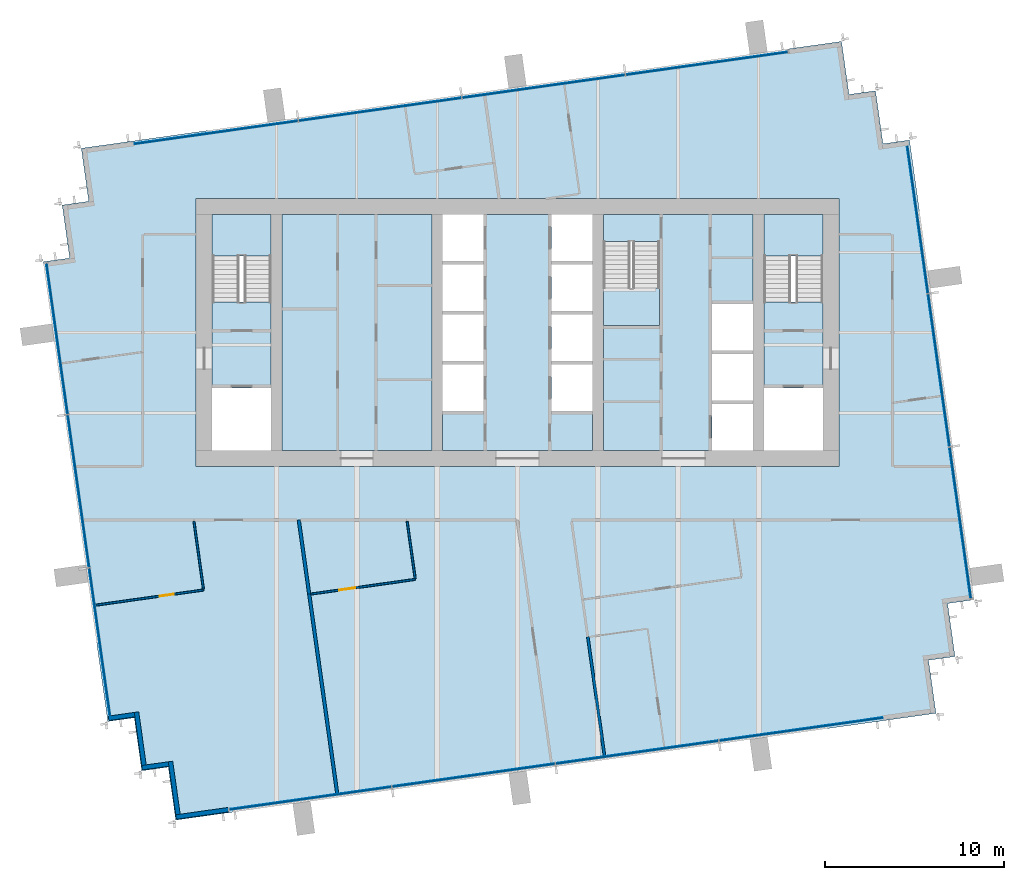
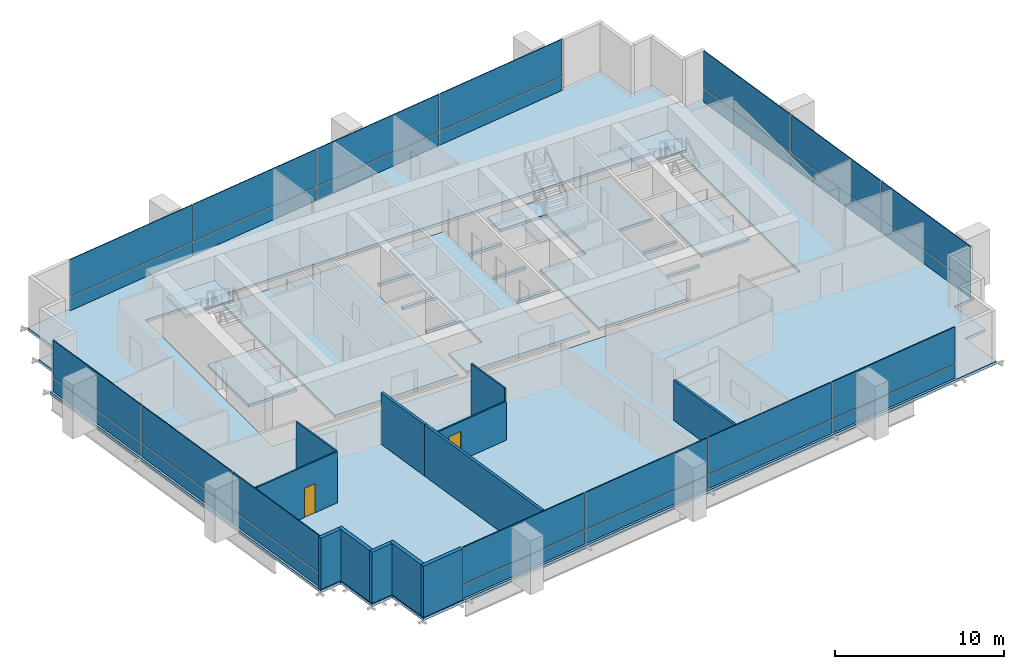
# One storey, part 7 of 12: 28 plates, 12 walls, 9 slabs, 2 doors, 2 openings, 7 elements without a shape of their own.
"""IFC4 building model written with IfcOpenShell, lengths in metres."""

from ifc_helpers import new_model, si_unit, direction, frame, frame_2d, origin, origin_2d, place, context, subcontext, project, spatial, polyline, rectangle, outline, extrude, material, layer, layer_set, type_object, element, fill, aggregate, save


model = new_model("IFC4")

# Units and contexts
model_context = context("Model", 3, precision=1e-05, world=origin(), true_north=direction((0.0, 1.0)))
body_context = subcontext(model_context, "Body", "Model", "MODEL_VIEW")
ifc_project = project(units=[si_unit("LENGTHUNIT", "METRE"), si_unit("AREAUNIT", "SQUARE_METRE"), si_unit("VOLUMEUNIT", "CUBIC_METRE"), si_unit("PLANEANGLEUNIT", "RADIAN"), si_unit("MASSUNIT", "GRAM", prefix="KILO")], contexts=[model_context])

# Site, building, storey
site_placement = place(None, origin())
site = spatial("IfcSite", under=ifc_project, at=site_placement, CompositionType="ELEMENT")
building_placement = place(site_placement, origin())
building = spatial("IfcBuilding", under=site, at=building_placement, Name="Rattan Terrace Tower", CompositionType="ELEMENT")
storey_placement = place(building_placement, frame((0.0, 0.0, 282.39990234375)))
storey = spatial("IfcBuildingStorey", under=building, at=storey_placement, Name="L65", CompositionType="ELEMENT", Elevation=282.39990234375)

# Stair, slab
ifc_material_1 = material(Name="Concrete C40/50", Category="concrete")
stair_type = type_object("IfcStairType", Name="Core exit stair 1500", PredefinedType="HALF_TURN_STAIR", material=ifc_material_1)
stair_1_placement = place(storey_placement, origin())
stair_1 = element("IfcStair", 1, at=stair_1_placement, inside=storey, type_object=stair_type, Name="L65 exit stair 1", PredefinedType="HALF_TURN_STAIR")
ifc_material_2 = material(Name="Concrete C40/50", Category="concrete")
ifc_layer_1 = layer(ifc_material_2, 0.199951171875)
ifc_layer_set_1 = layer_set([ifc_layer_1], Name="Core exit stair landing")
slab_type_1 = type_object("IfcSlabType", Name="Core exit stair landing", PredefinedType="LANDING", material=ifc_layer_set_1)
slab_1_placement = place(storey_placement, frame((0.0, 0.0, 1.75)))
slab_1 = element("IfcSlab", 2, at=slab_1_placement, type_object=slab_type_1, Name="S1 landing 1", PredefinedType="LANDING", context=body_context, shape_type="SweptSolid", body=[
    extrude(outline(polyline([(-13.800048828125, 4.300048828125), (-13.800048828125, 6.60009765625), (-17.10009765625, 6.60009765625), (-17.10009765625, 4.300048828125), (-13.800048828125, 4.300048828125)])), origin(), (0.0, 0.0, 1.0), 0.2001953125),
])
aggregate(stair_1, [slab_1])

stair_2_placement = place(storey_placement, origin())
stair_2 = element("IfcStair", 3, at=stair_2_placement, inside=storey, type_object=stair_type, Name="L65 exit stair 2", PredefinedType="HALF_TURN_STAIR")
slab_2_placement = place(storey_placement, frame((0.0, 0.0, 1.75)))
slab_2 = element("IfcSlab", 4, at=slab_2_placement, type_object=slab_type_1, Name="S2 landing 1", PredefinedType="LANDING", context=body_context, shape_type="SweptSolid", body=[
    extrude(outline(polyline([(17.10009765625, 4.300048828125), (17.10009765625, 6.60009765625), (13.800048828125, 6.60009765625), (13.800048828125, 4.300048828125), (17.10009765625, 4.300048828125)])), origin(), (0.0, 0.0, 1.0), 0.2001953125),
])
aggregate(stair_2, [slab_2])

stair_3_placement = place(storey_placement, origin())
stair_3 = element("IfcStair", 5, at=stair_3_placement, inside=storey, type_object=stair_type, Name="L65 exit stair 3", PredefinedType="HALF_TURN_STAIR")
slab_3_placement = place(storey_placement, frame((0.0, 0.0, 1.75)))
slab_3 = element("IfcSlab", 6, at=slab_3_placement, type_object=slab_type_1, Name="S3 landing 1", PredefinedType="LANDING", context=body_context, shape_type="SweptSolid", body=[
    extrude(outline(polyline([(4.800048828125, 2.5), (4.800048828125, 0.39990234375), (7.949951171875, 0.39990234375), (7.949951171875, 2.5), (4.800048828125, 2.5)])), origin(), (0.0, 0.0, 1.0), 0.2001953125),
])
aggregate(stair_3, [slab_3])

# Slabs
ifc_material_3 = material(Name="Concrete C35/45", Category="concrete")
ifc_layer_2 = layer(ifc_material_3, 0.199951171875)
ifc_layer_set_2 = layer_set([ifc_layer_2], Name="Frame composite floor slab 200")
slab_type_2 = type_object("IfcSlabType", Name="Frame composite floor slab 200", PredefinedType="FLOOR", material=ifc_layer_set_2)
slab_4_placement = place(storey_placement, frame((0.0, 0.0, -0.199951171875)))
element("IfcSlab", 7, at=slab_4_placement, inside=storey, type_object=slab_type_2, Name="Floor slab", PredefinedType="FLOOR", context=body_context, shape_type="SweptSolid", body=[
    extrude(outline(polyline([(-16.176025390625, -26.889892578125), (20.464111328125, -21.739990234375), (23.43505859375, -21.322998046875), (23.01806640625, -18.35205078125), (24.5029296875, -18.14306640625), (24.0849609375, -15.173095703125), (25.571044921875, -14.964111328125), (21.951904296875, 10.782958984375), (20.467041015625, 10.573974609375), (20.049072265625, 13.544921875), (18.56396484375, 13.3369140625), (18.14599609375, 16.306884765625), (15.176025390625, 15.889892578125), (-21.464111328125, 10.739990234375), (-24.43505859375, 10.322998046875), (-24.01806640625, 7.35205078125), (-25.5029296875, 7.14306640625), (-25.0849609375, 4.173095703125), (-26.571044921875, 3.964111328125), (-22.951904296875, -21.782958984375), (-21.467041015625, -21.573974609375), (-21.049072265625, -24.544921875), (-19.56396484375, -24.3369140625), (-19.14599609375, -27.306884765625), (-16.176025390625, -26.889892578125)]), holes=[polyline([(-18.0, -7.5), (18.0, -7.5), (18.0, -6.60009765625), (18.0, 6.60009765625), (18.0, 7.5), (-18.0, 7.5), (-18.0, 6.60009765625), (-18.0, -6.60009765625), (-18.0, -7.5)])]), origin(), (0.0, 0.0, 1.0), 0.199951171875),
])
slab_5_placement = place(storey_placement, frame((0.0, 0.0, -0.199951171875)))
element("IfcSlab", 8, at=slab_5_placement, inside=storey, type_object=slab_type_2, Name="Floor slab", PredefinedType="FLOOR", context=body_context, shape_type="SweptSolid", body=[
    extrude(outline(polyline([(13.199951171875, 6.60009765625), (4.800048828125, 6.60009765625), (4.800048828125, 5.090087890625), (7.949951171875, 5.090087890625), (7.949951171875, 0.39990234375), (4.800048828125, 0.39990234375), (4.800048828125, -6.60009765625), (10.89990234375, -6.60009765625), (10.89990234375, -4.0), (13.199951171875, -4.0), (13.199951171875, -3.800048828125), (10.89990234375, -3.800048828125), (10.89990234375, -1.199951171875), (13.199951171875, -1.199951171875), (13.199951171875, -1.0), (10.89990234375, -1.0), (10.89990234375, 1.60009765625), (13.199951171875, 1.60009765625), (13.199951171875, 6.60009765625)])), origin(), (0.0, 0.0, 1.0), 0.199951171875),
])
slab_6_placement = place(storey_placement, frame((0.0, 0.0, -0.199951171875)))
element("IfcSlab", 9, at=slab_6_placement, inside=storey, type_object=slab_type_2, Name="Floor slab", PredefinedType="FLOOR", context=body_context, shape_type="SweptSolid", body=[
    extrude(outline(polyline([(1.89990234375, 6.60009765625), (-1.89990234375, 6.60009765625), (-1.89990234375, 4.0), (-4.199951171875, 4.0), (-4.199951171875, 3.800048828125), (-1.89990234375, 3.800048828125), (-1.89990234375, 1.199951171875), (-4.199951171875, 1.199951171875), (-4.199951171875, 1.0), (-1.89990234375, 1.0), (-1.89990234375, -1.60009765625), (-4.199951171875, -1.60009765625), (-4.199951171875, -1.800048828125), (-1.89990234375, -1.800048828125), (-1.89990234375, -4.39990234375), (-4.199951171875, -4.39990234375), (-4.199951171875, -6.60009765625), (4.199951171875, -6.60009765625), (4.199951171875, -4.39990234375), (1.89990234375, -4.39990234375), (1.89990234375, -1.800048828125), (4.199951171875, -1.800048828125), (4.199951171875, -1.60009765625), (1.89990234375, -1.60009765625), (1.89990234375, 1.0), (4.199951171875, 1.0), (4.199951171875, 1.199951171875), (1.89990234375, 1.199951171875), (1.89990234375, 3.800048828125), (4.199951171875, 3.800048828125), (4.199951171875, 4.0), (1.89990234375, 4.0), (1.89990234375, 6.60009765625)])), origin(), (0.0, 0.0, 1.0), 0.199951171875),
])
slab_7_placement = place(storey_placement, frame((0.0, 0.0, -0.199951171875)))
element("IfcSlab", 10, at=slab_7_placement, inside=storey, type_object=slab_type_2, Name="Floor slab", PredefinedType="FLOOR", context=body_context, shape_type="SweptSolid", body=[
    extrude(outline(polyline([(-17.10009765625, -3.10009765625), (-13.800048828125, -3.10009765625), (-13.800048828125, 1.7099609375), (-17.10009765625, 1.7099609375), (-17.10009765625, -3.10009765625)])), origin(), (0.0, 0.0, 1.0), 0.199951171875),
])
slab_8_placement = place(storey_placement, frame((0.0, 0.0, -0.199951171875)))
element("IfcSlab", 11, at=slab_8_placement, inside=storey, type_object=slab_type_2, Name="Floor slab", PredefinedType="FLOOR", context=body_context, shape_type="SweptSolid", body=[
    extrude(outline(polyline([(-4.800048828125, -6.60009765625), (-4.800048828125, 6.60009765625), (-13.199951171875, 6.60009765625), (-13.199951171875, -6.60009765625), (-4.800048828125, -6.60009765625)])), origin(), (0.0, 0.0, 1.0), 0.199951171875),
])
slab_9_placement = place(storey_placement, frame((0.0, 0.0, -0.199951171875)))
element("IfcSlab", 12, at=slab_9_placement, inside=storey, type_object=slab_type_2, Name="Floor slab", PredefinedType="FLOOR", context=body_context, shape_type="SweptSolid", body=[
    extrude(outline(polyline([(13.800048828125, -3.10009765625), (17.10009765625, -3.10009765625), (17.10009765625, 1.7099609375), (13.800048828125, 1.7099609375), (13.800048828125, -3.10009765625)])), origin(), (0.0, 0.0, 1.0), 0.199951171875),
])

# Curtain wall, plates
ifc_material_4 = material(Name="Aluminium and laminated glass", Category="aluminium")
ifc_layer_3 = layer(ifc_material_4, 0.199951171875)
ifc_layer_set_3 = layer_set([ifc_layer_3], Name="High-Zone Unitised Curtain Wall")
curtain_wall_type = type_object("IfcCurtainWallType", Name="High-Zone Unitised Curtain Wall", PredefinedType="NOTDEFINED", material=ifc_layer_set_3)
curtain_wall_1_placement = place(storey_placement, origin())
curtain_wall_1 = element("IfcCurtainWall", 13, at=curtain_wall_1_placement, inside=storey, type_object=curtain_wall_type, Name="High-zone curtain wall L65-1", PredefinedType="NOTDEFINED")
ifc_material_5 = material(Name="Aluminium insulated spandrel panel", Category="aluminium")
ifc_layer_4 = layer(ifc_material_5, 0.050048828125)
ifc_layer_set_4 = layer_set([ifc_layer_4], Name="High-Zone CW Spandrel Panel")
plate_type_1 = type_object("IfcPlateType", Name="High-Zone CW Spandrel Panel", PredefinedType="CURTAIN_PANEL", material=ifc_layer_set_4)
plate_1_placement = place(storey_placement, frame((24.7939453125, -10.65673828125, 0.0), z_axis=(0.0, 0.0, 1.0), x_axis=(-0.139191775431, 0.990265444036, 0.0)))
plate_1 = element("IfcPlate", 14, at=plate_1_placement, type_object=plate_type_1, Name="Panel cwl-L65-001.1.1", PredefinedType="CURTAIN_PANEL", context=body_context, shape_type="SweptSolid", body=[
    extrude(rectangle(XDim=8.51708984375, YDim=0.050048828125, at=origin_2d()), origin(), (0.0, 0.0, 1.0), 0.965087890625),
])
plate_2_placement = place(storey_placement, frame((23.593017578125, -2.11376953125, 0.0), z_axis=(0.0, 0.0, 1.0), x_axis=(-0.139191775431, 0.990265444036, 0.0)))
plate_2 = element("IfcPlate", 15, at=plate_2_placement, type_object=plate_type_1, Name="Panel cwl-L65-001.2.1", PredefinedType="CURTAIN_PANEL", context=body_context, shape_type="SweptSolid", body=[
    extrude(rectangle(XDim=8.596923828125, YDim=0.050048828125, at=origin_2d()), origin(), (0.0, 0.0, 1.0), 0.965087890625),
])
plate_3_placement = place(storey_placement, frame((22.40478515625, 6.339599609375, 0.0), z_axis=(0.0, 0.0, 1.0), x_axis=(-0.139191775431, 0.990265444036, 0.0)))
plate_3 = element("IfcPlate", 16, at=plate_3_placement, type_object=plate_type_1, Name="Panel cwl-L65-001.3.1", PredefinedType="CURTAIN_PANEL", context=body_context, shape_type="SweptSolid", body=[
    extrude(rectangle(XDim=8.336181640625, YDim=0.050048828125, at=origin_2d()), origin(), (0.0, 0.0, 1.0), 0.965087890625),
])

curtain_wall_2_placement = place(storey_placement, origin())
curtain_wall_2 = element("IfcCurtainWall", 17, at=curtain_wall_2_placement, inside=storey, type_object=curtain_wall_type, Name="High-zone curtain wall L65-2", PredefinedType="NOTDEFINED")
plate_4_placement = place(storey_placement, frame((10.602783203125, 15.075439453125, 0.0), z_axis=(0.0, 0.0, 1.0), x_axis=(-0.990265894013, -0.139188574079, 0.0)))
plate_4 = element("IfcPlate", 18, at=plate_4_placement, type_object=plate_type_1, Name="Panel cwl-L65-002.1.1", PredefinedType="CURTAIN_PANEL", context=body_context, shape_type="SweptSolid", body=[
    extrude(rectangle(XDim=9.14404296875, YDim=0.050048828125, at=origin_2d()), origin(), (0.0, 0.0, 1.0), 0.965087890625),
])
plate_5_placement = place(storey_placement, frame((1.461181640625, 13.79052734375, 0.0), z_axis=(0.0, 0.0, 1.0), x_axis=(-0.990265894013, -0.139188574079, 0.0)))
plate_5 = element("IfcPlate", 19, at=plate_5_placement, type_object=plate_type_1, Name="Panel cwl-L65-002.2.1", PredefinedType="CURTAIN_PANEL", context=body_context, shape_type="SweptSolid", body=[
    extrude(rectangle(XDim=9.178955078125, YDim=0.050048828125, at=origin_2d()), origin(), (0.0, 0.0, 1.0), 0.965087890625),
])
plate_6_placement = place(storey_placement, frame((-7.69775390625, 12.503173828125, 0.0), z_axis=(0.0, 0.0, 1.0), x_axis=(-0.990265894013, -0.139188574079, 0.0)))
plate_6 = element("IfcPlate", 20, at=plate_6_placement, type_object=plate_type_1, Name="Panel cwl-L65-002.3.1", PredefinedType="CURTAIN_PANEL", context=body_context, shape_type="SweptSolid", body=[
    extrude(rectangle(XDim=9.178955078125, YDim=0.050048828125, at=origin_2d()), origin(), (0.0, 0.0, 1.0), 0.965087890625),
])
plate_7_placement = place(storey_placement, frame((-16.876220703125, 11.213134765625, 0.0), z_axis=(0.0, 0.0, 1.0), x_axis=(-0.990265894013, -0.139188574079, 0.0)))
plate_7 = element("IfcPlate", 21, at=plate_7_placement, type_object=plate_type_1, Name="Panel cwl-L65-002.4.1", PredefinedType="CURTAIN_PANEL", context=body_context, shape_type="SweptSolid", body=[
    extrude(rectangle(XDim=9.21826171875, YDim=0.050048828125, at=origin_2d()), origin(), (0.0, 0.0, 1.0), 0.965087890625),
])

curtain_wall_3_placement = place(storey_placement, origin())
curtain_wall_3 = element("IfcCurtainWall", 22, at=curtain_wall_3_placement, inside=storey, type_object=curtain_wall_type, Name="High-zone curtain wall L65-3", PredefinedType="NOTDEFINED")
plate_8_placement = place(storey_placement, frame((-25.7939453125, -0.34326171875, 0.0), z_axis=(0.0, 0.0, 1.0), x_axis=(0.139191775431, -0.990265444036, 0.0)))
plate_8 = element("IfcPlate", 23, at=plate_8_placement, type_object=plate_type_1, Name="Panel cwl-L65-003.1.1", PredefinedType="CURTAIN_PANEL", context=body_context, shape_type="SweptSolid", body=[
    extrude(rectangle(XDim=8.51708984375, YDim=0.050048828125, at=origin_2d()), origin(), (0.0, 0.0, 1.0), 0.965087890625),
])
plate_9_placement = place(storey_placement, frame((-24.593017578125, -8.88623046875, 0.0), z_axis=(0.0, 0.0, 1.0), x_axis=(0.139191775431, -0.990265444036, 0.0)))
plate_9 = element("IfcPlate", 24, at=plate_9_placement, type_object=plate_type_1, Name="Panel cwl-L65-003.2.1", PredefinedType="CURTAIN_PANEL", context=body_context, shape_type="SweptSolid", body=[
    extrude(rectangle(XDim=8.596923828125, YDim=0.050048828125, at=origin_2d()), origin(), (0.0, 0.0, 1.0), 0.965087890625),
])
plate_10_placement = place(storey_placement, frame((-23.40478515625, -17.339599609375, 0.0), z_axis=(0.0, 0.0, 1.0), x_axis=(0.139191775431, -0.990265444036, 0.0)))
plate_10 = element("IfcPlate", 25, at=plate_10_placement, type_object=plate_type_1, Name="Panel cwl-L65-003.3.1", PredefinedType="CURTAIN_PANEL", context=body_context, shape_type="SweptSolid", body=[
    extrude(rectangle(XDim=8.336181640625, YDim=0.050048828125, at=origin_2d()), origin(), (0.0, 0.0, 1.0), 0.965087890625),
])

curtain_wall_4_placement = place(storey_placement, origin())
curtain_wall_4 = element("IfcCurtainWall", 26, at=curtain_wall_4_placement, inside=storey, type_object=curtain_wall_type, Name="High-zone curtain wall L65-4", PredefinedType="NOTDEFINED")
plate_11_placement = place(storey_placement, frame((-11.602783203125, -26.075439453125, 0.0), z_axis=(0.0, 0.0, 1.0), x_axis=(0.990265894013, 0.139188574079, 0.0)))
plate_11 = element("IfcPlate", 27, at=plate_11_placement, type_object=plate_type_1, Name="Panel cwl-L65-004.1.1", PredefinedType="CURTAIN_PANEL", context=body_context, shape_type="SweptSolid", body=[
    extrude(rectangle(XDim=9.14404296875, YDim=0.050048828125, at=origin_2d()), origin(), (0.0, 0.0, 1.0), 0.965087890625),
])
plate_12_placement = place(storey_placement, frame((-2.461181640625, -24.79052734375, 0.0), z_axis=(0.0, 0.0, 1.0), x_axis=(0.990265894013, 0.139188574079, 0.0)))
plate_12 = element("IfcPlate", 28, at=plate_12_placement, type_object=plate_type_1, Name="Panel cwl-L65-004.2.1", PredefinedType="CURTAIN_PANEL", context=body_context, shape_type="SweptSolid", body=[
    extrude(rectangle(XDim=9.178955078125, YDim=0.050048828125, at=origin_2d()), origin(), (0.0, 0.0, 1.0), 0.965087890625),
])
plate_13_placement = place(storey_placement, frame((6.69775390625, -23.503173828125, 0.0), z_axis=(0.0, 0.0, 1.0), x_axis=(0.990265894013, 0.139188574079, 0.0)))
plate_13 = element("IfcPlate", 29, at=plate_13_placement, type_object=plate_type_1, Name="Panel cwl-L65-004.3.1", PredefinedType="CURTAIN_PANEL", context=body_context, shape_type="SweptSolid", body=[
    extrude(rectangle(XDim=9.178955078125, YDim=0.050048828125, at=origin_2d()), origin(), (0.0, 0.0, 1.0), 0.965087890625),
])
plate_14_placement = place(storey_placement, frame((15.876220703125, -22.213134765625, 0.0), z_axis=(0.0, 0.0, 1.0), x_axis=(0.990265894013, 0.139188574079, 0.0)))
plate_14 = element("IfcPlate", 30, at=plate_14_placement, type_object=plate_type_1, Name="Panel cwl-L65-004.4.1", PredefinedType="CURTAIN_PANEL", context=body_context, shape_type="SweptSolid", body=[
    extrude(rectangle(XDim=9.21826171875, YDim=0.050048828125, at=origin_2d()), origin(), (0.0, 0.0, 1.0), 0.965087890625),
])

# Plate
ifc_material_6 = material(Name="Laminated low-iron glass", Category="glass")
ifc_layer_5 = layer(ifc_material_6, 0.055908203125)
ifc_layer_set_5 = layer_set([ifc_layer_5], Name="High-Zone CW Vision Panel")
plate_type_2 = type_object("IfcPlateType", Name="High-Zone CW Vision Panel", PredefinedType="CURTAIN_PANEL", material=ifc_layer_set_5)
plate_15_placement = place(storey_placement, frame((24.7939453125, -10.65673828125, 1.03515625), z_axis=(0.0, 0.0, 1.0), x_axis=(-0.139191775431, 0.990265444036, 0.0)))
plate_15 = element("IfcPlate", 31, at=plate_15_placement, type_object=plate_type_2, Name="Panel cwl-L65-001.1.2", PredefinedType="CURTAIN_PANEL", context=body_context, shape_type="SweptSolid", body=[
    extrude(rectangle(XDim=8.51708984375, YDim=0.055908203125, at=origin_2d()), origin(), (0.0, 0.0, 1.0), 2.6650390625),
])

plate_16_placement = place(storey_placement, frame((23.593017578125, -2.11376953125, 1.03515625), z_axis=(0.0, 0.0, 1.0), x_axis=(-0.139191775431, 0.990265444036, 0.0)))
plate_16 = element("IfcPlate", 32, at=plate_16_placement, type_object=plate_type_2, Name="Panel cwl-L65-001.2.2", PredefinedType="CURTAIN_PANEL", context=body_context, shape_type="SweptSolid", body=[
    extrude(rectangle(XDim=8.596923828125, YDim=0.055908203125, at=origin_2d()), origin(), (0.0, 0.0, 1.0), 2.6650390625),
])

plate_17_placement = place(storey_placement, frame((22.40478515625, 6.339599609375, 1.03515625), z_axis=(0.0, 0.0, 1.0), x_axis=(-0.139191775431, 0.990265444036, 0.0)))
plate_17 = element("IfcPlate", 33, at=plate_17_placement, type_object=plate_type_2, Name="Panel cwl-L65-001.3.2", PredefinedType="CURTAIN_PANEL", context=body_context, shape_type="SweptSolid", body=[
    extrude(rectangle(XDim=8.336181640625, YDim=0.055908203125, at=origin_2d()), origin(), (0.0, 0.0, 1.0), 2.6650390625),
])

aggregate(curtain_wall_1, [plate_1, plate_15, plate_2, plate_16, plate_3, plate_17])

plate_18_placement = place(storey_placement, frame((10.602783203125, 15.075439453125, 1.03515625), z_axis=(0.0, 0.0, 1.0), x_axis=(-0.990265894013, -0.139188574079, 0.0)))
plate_18 = element("IfcPlate", 34, at=plate_18_placement, type_object=plate_type_2, Name="Panel cwl-L65-002.1.2", PredefinedType="CURTAIN_PANEL", context=body_context, shape_type="SweptSolid", body=[
    extrude(rectangle(XDim=9.14404296875, YDim=0.055908203125, at=origin_2d()), origin(), (0.0, 0.0, 1.0), 2.6650390625),
])

plate_19_placement = place(storey_placement, frame((1.461181640625, 13.79052734375, 1.03515625), z_axis=(0.0, 0.0, 1.0), x_axis=(-0.990265894013, -0.139188574079, 0.0)))
plate_19 = element("IfcPlate", 35, at=plate_19_placement, type_object=plate_type_2, Name="Panel cwl-L65-002.2.2", PredefinedType="CURTAIN_PANEL", context=body_context, shape_type="SweptSolid", body=[
    extrude(rectangle(XDim=9.178955078125, YDim=0.055908203125, at=origin_2d()), origin(), (0.0, 0.0, 1.0), 2.6650390625),
])

plate_20_placement = place(storey_placement, frame((-7.69775390625, 12.503173828125, 1.03515625), z_axis=(0.0, 0.0, 1.0), x_axis=(-0.990265894013, -0.139188574079, 0.0)))
plate_20 = element("IfcPlate", 36, at=plate_20_placement, type_object=plate_type_2, Name="Panel cwl-L65-002.3.2", PredefinedType="CURTAIN_PANEL", context=body_context, shape_type="SweptSolid", body=[
    extrude(rectangle(XDim=9.178955078125, YDim=0.055908203125, at=origin_2d()), origin(), (0.0, 0.0, 1.0), 2.6650390625),
])

plate_21_placement = place(storey_placement, frame((-16.876220703125, 11.213134765625, 1.03515625), z_axis=(0.0, 0.0, 1.0), x_axis=(-0.990265894013, -0.139188574079, 0.0)))
plate_21 = element("IfcPlate", 37, at=plate_21_placement, type_object=plate_type_2, Name="Panel cwl-L65-002.4.2", PredefinedType="CURTAIN_PANEL", context=body_context, shape_type="SweptSolid", body=[
    extrude(rectangle(XDim=9.21826171875, YDim=0.055908203125, at=origin_2d()), origin(), (0.0, 0.0, 1.0), 2.6650390625),
])

aggregate(curtain_wall_2, [plate_4, plate_18, plate_5, plate_19, plate_6, plate_20, plate_7, plate_21])

plate_22_placement = place(storey_placement, frame((-25.7939453125, -0.34326171875, 1.03515625), z_axis=(0.0, 0.0, 1.0), x_axis=(0.139191775431, -0.990265444036, 0.0)))
plate_22 = element("IfcPlate", 38, at=plate_22_placement, type_object=plate_type_2, Name="Panel cwl-L65-003.1.2", PredefinedType="CURTAIN_PANEL", context=body_context, shape_type="SweptSolid", body=[
    extrude(rectangle(XDim=8.51708984375, YDim=0.055908203125, at=origin_2d()), origin(), (0.0, 0.0, 1.0), 2.6650390625),
])

plate_23_placement = place(storey_placement, frame((-24.593017578125, -8.88623046875, 1.03515625), z_axis=(0.0, 0.0, 1.0), x_axis=(0.139191775431, -0.990265444036, 0.0)))
plate_23 = element("IfcPlate", 39, at=plate_23_placement, type_object=plate_type_2, Name="Panel cwl-L65-003.2.2", PredefinedType="CURTAIN_PANEL", context=body_context, shape_type="SweptSolid", body=[
    extrude(rectangle(XDim=8.596923828125, YDim=0.055908203125, at=origin_2d()), origin(), (0.0, 0.0, 1.0), 2.6650390625),
])

plate_24_placement = place(storey_placement, frame((-23.40478515625, -17.339599609375, 1.03515625), z_axis=(0.0, 0.0, 1.0), x_axis=(0.139191775431, -0.990265444036, 0.0)))
plate_24 = element("IfcPlate", 40, at=plate_24_placement, type_object=plate_type_2, Name="Panel cwl-L65-003.3.2", PredefinedType="CURTAIN_PANEL", context=body_context, shape_type="SweptSolid", body=[
    extrude(rectangle(XDim=8.336181640625, YDim=0.055908203125, at=origin_2d()), origin(), (0.0, 0.0, 1.0), 2.6650390625),
])

aggregate(curtain_wall_3, [plate_8, plate_22, plate_9, plate_23, plate_10, plate_24])

plate_25_placement = place(storey_placement, frame((-11.602783203125, -26.075439453125, 1.03515625), z_axis=(0.0, 0.0, 1.0), x_axis=(0.990265894013, 0.139188574079, 0.0)))
plate_25 = element("IfcPlate", 41, at=plate_25_placement, type_object=plate_type_2, Name="Panel cwl-L65-004.1.2", PredefinedType="CURTAIN_PANEL", context=body_context, shape_type="SweptSolid", body=[
    extrude(rectangle(XDim=9.14404296875, YDim=0.055908203125, at=origin_2d()), origin(), (0.0, 0.0, 1.0), 2.6650390625),
])

plate_26_placement = place(storey_placement, frame((-2.461181640625, -24.79052734375, 1.03515625), z_axis=(0.0, 0.0, 1.0), x_axis=(0.990265894013, 0.139188574079, 0.0)))
plate_26 = element("IfcPlate", 42, at=plate_26_placement, type_object=plate_type_2, Name="Panel cwl-L65-004.2.2", PredefinedType="CURTAIN_PANEL", context=body_context, shape_type="SweptSolid", body=[
    extrude(rectangle(XDim=9.178955078125, YDim=0.055908203125, at=origin_2d()), origin(), (0.0, 0.0, 1.0), 2.6650390625),
])

plate_27_placement = place(storey_placement, frame((6.69775390625, -23.503173828125, 1.03515625), z_axis=(0.0, 0.0, 1.0), x_axis=(0.990265894013, 0.139188574079, 0.0)))
plate_27 = element("IfcPlate", 43, at=plate_27_placement, type_object=plate_type_2, Name="Panel cwl-L65-004.3.2", PredefinedType="CURTAIN_PANEL", context=body_context, shape_type="SweptSolid", body=[
    extrude(rectangle(XDim=9.178955078125, YDim=0.055908203125, at=origin_2d()), origin(), (0.0, 0.0, 1.0), 2.6650390625),
])

plate_28_placement = place(storey_placement, frame((15.876220703125, -22.213134765625, 1.03515625), z_axis=(0.0, 0.0, 1.0), x_axis=(0.990265894013, 0.139188574079, 0.0)))
plate_28 = element("IfcPlate", 44, at=plate_28_placement, type_object=plate_type_2, Name="Panel cwl-L65-004.4.2", PredefinedType="CURTAIN_PANEL", context=body_context, shape_type="SweptSolid", body=[
    extrude(rectangle(XDim=9.21826171875, YDim=0.055908203125, at=origin_2d()), origin(), (0.0, 0.0, 1.0), 2.6650390625),
])

aggregate(curtain_wall_4, [plate_11, plate_25, plate_12, plate_26, plate_13, plate_27, plate_14, plate_28])

# Walls
ifc_material_7 = material(Name="Insulated aluminium-clad stud wall", Category="aluminium")
ifc_layer_6 = layer(ifc_material_7, 0.25)
ifc_layer_set_6 = layer_set([ifc_layer_6], Name="Facade Riser Wall 250")
wall_type_1 = type_object("IfcWallType", Name="Facade Riser Wall 250", PredefinedType="SOLIDWALL", material=ifc_layer_set_6)
wall_1_placement = place(storey_placement, frame((-22.90625, -21.60498046875, 0.0), z_axis=(0.0, 0.0, 1.0), x_axis=(0.990235520307, 0.13940449893, 0.0)))
element("IfcWall", 45, at=wall_1_placement, inside=storey, type_object=wall_type_1, Name="Riser wall L65-16", PredefinedType="SOLIDWALL", context=body_context, shape_type="SweptSolid", body=[
    extrude(rectangle(XDim=1.474609375, YDim=0.25, at=frame_2d((0.7373046875, 0.0))), origin(), (0.0, 0.0, 1.0), 3.7001953125),
])
wall_2_placement = place(storey_placement, frame((-21.33984375, -21.25830078125, 0.0), z_axis=(0.0, 0.0, 1.0), x_axis=(0.139393225799, -0.990237107263, 0.0)))
element("IfcWall", 46, at=wall_2_placement, inside=storey, type_object=wall_type_1, Name="Riser wall L65-17", PredefinedType="SOLIDWALL", context=body_context, shape_type="SweptSolid", body=[
    extrude(rectangle(XDim=3.000244140625, YDim=0.25, at=frame_2d((1.5, 0.0))), origin(), (0.0, 0.0, 1.0), 3.7001953125),
])
wall_3_placement = place(storey_placement, frame((-21.028076171875, -24.370361328125, 0.0), z_axis=(0.0, 0.0, 1.0), x_axis=(0.990330117064, 0.138730887823, 0.0)))
element("IfcWall", 47, at=wall_3_placement, inside=storey, type_object=wall_type_1, Name="Riser wall L65-18", PredefinedType="SOLIDWALL", context=body_context, shape_type="SweptSolid", body=[
    extrude(rectangle(XDim=1.499267578125, YDim=0.25, at=frame_2d((0.74951171875, 0.0))), origin(), (0.0, 0.0, 1.0), 3.7001953125),
])
wall_4_placement = place(storey_placement, frame((-19.436767578125, -24.021240234375, 0.0), z_axis=(0.0, 0.0, 1.0), x_axis=(0.139358350296, -0.990242015975, 0.0)))
element("IfcWall", 48, at=wall_4_placement, inside=storey, type_object=wall_type_1, Name="Riser wall L65-19", PredefinedType="SOLIDWALL", context=body_context, shape_type="SweptSolid", body=[
    extrude(rectangle(XDim=2.999267578125, YDim=0.25, at=frame_2d((1.49951171875, 0.0))), origin(), (0.0, 0.0, 1.0), 3.7001953125),
])
wall_5_placement = place(storey_placement, frame((-19.125244140625, -27.13232421875, 0.0), z_axis=(0.0, 0.0, 1.0), x_axis=(0.990291981483, 0.139002846771, 0.0)))
element("IfcWall", 49, at=wall_5_placement, inside=storey, type_object=wall_type_1, Name="Riser wall L65-20", PredefinedType="SOLIDWALL", context=body_context, shape_type="SweptSolid", body=[
    extrude(rectangle(XDim=2.9541015625, YDim=0.25, at=frame_2d((1.47705078125, 0.0))), origin(), (0.0, 0.0, 1.0), 3.7001953125),
])
ifc_material_8 = material(Name="Double steel stud acoustic partition, gypsum board, mineral wool, fire rated", Category="steel")
ifc_layer_7 = layer(ifc_material_8, 0.179931640625)
ifc_layer_set_7 = layer_set([ifc_layer_7], Name="Floors Acoustic Party Wall 180")
wall_type_2 = type_object("IfcWallType", Name="Floors Acoustic Party Wall 180", PredefinedType="PARTITIONING", material=ifc_layer_set_7)
wall_6_placement = place(storey_placement, frame((-11.6708984375, -14.638916015625, 0.0), z_axis=(0.0, 0.0, 1.0), x_axis=(0.139162688284, -0.990269532092, 0.0)))
element("IfcWall", 50, at=wall_6_placement, inside=storey, type_object=wall_type_2, Name="pt-L65-021", PredefinedType="PARTITIONING", context=body_context, shape_type="SweptSolid", body=[
    extrude(rectangle(XDim=11.245361328125, YDim=0.179931640625, at=frame_2d((5.62255859375, 0.0))), origin(), (0.0, 0.0, 1.0), 3.7001953125),
])
wall_7_placement = place(storey_placement, frame((-12.2529296875, -10.5, 0.0), z_axis=(0.0, 0.0, 1.0), x_axis=(0.139253936412, -0.990256704695, 0.0)))
element("IfcWall", 51, at=wall_7_placement, inside=storey, type_object=wall_type_2, Name="pt-L65-022", PredefinedType="PARTITIONING", context=body_context, shape_type="SweptSolid", body=[
    extrude(rectangle(XDim=4.1796875, YDim=0.179931640625, at=frame_2d((2.08984375, 0.0))), origin(), (0.0, 0.0, 1.0), 3.7001953125),
])

# Wall, opening, door
ifc_material_9 = material(Name="Gypsum board partition on steel studs", Category="steel")
ifc_layer_8 = layer(ifc_material_9, 0.10009765625)
ifc_layer_set_8 = layer_set([ifc_layer_8], Name="Floors Partition 100")
wall_type_3 = type_object("IfcWallType", Name="Floors Partition 100", PredefinedType="PARTITIONING", material=ifc_layer_set_8)
wall_8_placement = place(storey_placement, frame((-23.60595703125, -15.263916015625, 0.0), z_axis=(0.0, 0.0, 1.0), x_axis=(0.990273701851, 0.139133013418, 0.0)))
wall_8 = element("IfcWall", 52, at=wall_8_placement, inside=storey, type_object=wall_type_3, Name="pt-L65-019", PredefinedType="PARTITIONING", context=body_context, shape_type="SweptSolid", body=[
    extrude(rectangle(XDim=6.080078125, YDim=0.10009765625, at=frame_2d((3.0400390625, 0.0))), origin(), (0.0, 0.0, 1.0), 3.7001953125),
])
opening_1_placement = place(wall_8_placement, frame((3.595947265625, 0.0, 0.0)))
opening_1 = element("IfcOpeningElement", 53, at=opening_1_placement, cuts=wall_8, Name="Opening L65-D101", PredefinedType="OPENING", context=body_context, shape_type="SweptSolid", body=[
    extrude(rectangle(XDim=0.800048828125, YDim=2.10009765625, at=frame_2d((0.39990234375, 1.050048828125))), frame((0.0, 0.060546875, 0.0), z_axis=(0.0, -1.0, 0.0), x_axis=(1.0, 0.0, 0.0)), (0.0, 0.0, 1.0), 0.12109375),
])
ifc_material_10 = material(Name="Solid core timber door, painted", Category="wood")
door_type_1 = type_object("IfcDoorType", Name="Floors Store Door 800x2100", OperationType="NOTDEFINED", PredefinedType="DOOR", material=ifc_material_10)
door_1_placement = place(opening_1_placement, origin())
door_1 = element("IfcDoor", 54, at=door_1_placement, inside=storey, type_object=door_type_1, Name="d-L65-101", OperationType="SINGLE_SWING_RIGHT", OverallHeight=2.10009765625, OverallWidth=0.800048828125, PredefinedType="DOOR", context=body_context, shape_type="SweptSolid", body=[
    extrude(rectangle(XDim=0.800048828125, YDim=2.10009765625, at=frame_2d((0.39990234375, 1.050048828125))), frame((0.0, 0.02490234375, 0.0), z_axis=(0.0, -1.0, 0.0), x_axis=(1.0, 0.0, 0.0)), (0.0, 0.0, 1.0), 0.050048828125),
])
fill(opening_1, door_1)

# Wall
wall_9_placement = place(storey_placement, frame((-17.592041015625, -14.367919921875, 0.0), z_axis=(0.0, 0.0, 1.0), x_axis=(-0.139149544216, 0.99027137914, 0.0)))
element("IfcWall", 55, at=wall_9_placement, inside=storey, type_object=wall_type_3, Name="pt-L65-020", PredefinedType="PARTITIONING", context=body_context, shape_type="SweptSolid", body=[
    extrude(rectangle(XDim=3.837158203125, YDim=0.10009765625, at=frame_2d((1.91845703125, 0.0))), origin(), (0.0, 0.0, 1.0), 3.7001953125),
])

# Wall, opening, door
wall_10_placement = place(storey_placement, frame((-11.5791015625, -14.64697265625, 0.0), z_axis=(0.0, 0.0, 1.0), x_axis=(0.990255332606, 0.139263693209, 0.0)))
wall_10 = element("IfcWall", 56, at=wall_10_placement, inside=storey, type_object=wall_type_3, Name="pt-L65-023", PredefinedType="PARTITIONING", context=body_context, shape_type="SweptSolid", body=[
    extrude(rectangle(XDim=5.90966796875, YDim=0.10009765625, at=frame_2d((2.954833984375, 0.0))), origin(), (0.0, 0.0, 1.0), 2.800048828125),
])
opening_2_placement = place(wall_10_placement, frame((1.60302734375, 0.0, 0.0)))
opening_2 = element("IfcOpeningElement", 57, at=opening_2_placement, cuts=wall_10, Name="Opening L65-D103", PredefinedType="OPENING", context=body_context, shape_type="SweptSolid", body=[
    extrude(rectangle(XDim=0.89990234375, YDim=2.10009765625, at=frame_2d((0.449951171875, 1.050048828125))), frame((0.0, 0.060546875, 0.0), z_axis=(0.0, -1.0, 0.0), x_axis=(1.0, 0.0, 0.0)), (0.0, 0.0, 1.0), 0.12109375),
])
ifc_material_11 = material(Name="Solid core timber door, painted", Category="wood")
door_type_2 = type_object("IfcDoorType", Name="Floors Door 900x2100", OperationType="NOTDEFINED", PredefinedType="DOOR", material=ifc_material_11)
door_2_placement = place(opening_2_placement, origin())
door_2 = element("IfcDoor", 58, at=door_2_placement, inside=storey, type_object=door_type_2, Name="d-L65-103", OperationType="SINGLE_SWING_LEFT", OverallHeight=2.10009765625, OverallWidth=0.89990234375, PredefinedType="DOOR", context=body_context, shape_type="SweptSolid", body=[
    extrude(rectangle(XDim=0.89990234375, YDim=2.10009765625, at=frame_2d((0.449951171875, 1.050048828125))), frame((0.0, 0.02490234375, 0.0), z_axis=(0.0, -1.0, 0.0), x_axis=(1.0, 0.0, 0.0)), (0.0, 0.0, 1.0), 0.050048828125),
])
fill(opening_2, door_2)

# Walls
wall_11_placement = place(storey_placement, frame((-5.73388671875, -13.77392578125, 0.0), z_axis=(0.0, 0.0, 1.0), x_axis=(-0.139066479304, 0.990283047585, 0.0)))
element("IfcWall", 59, at=wall_11_placement, inside=storey, type_object=wall_type_3, Name="pt-L65-024", PredefinedType="PARTITIONING", context=body_context, shape_type="SweptSolid", body=[
    extrude(rectangle(XDim=3.2373046875, YDim=0.10009765625, at=frame_2d((1.61865234375, 0.0))), origin(), (0.0, 0.0, 1.0), 3.7001953125),
])
ifc_material_12 = material(Name="Gypsum board partition on steel studs, fire rated", Category="steel")
ifc_layer_9 = layer(ifc_material_12, 0.14990234375)
ifc_layer_set_9 = layer_set([ifc_layer_9], Name="Floors Tenancy Wall 150")
wall_type_4 = type_object("IfcWallType", Name="Floors Tenancy Wall 150", PredefinedType="PARTITIONING", material=ifc_layer_set_9)
wall_12_placement = place(storey_placement, frame((3.93310546875, -17.035888671875, 0.0), z_axis=(0.0, 0.0, 1.0), x_axis=(0.13910462383, -0.99027769016, 0.0)))
element("IfcWall", 60, at=wall_12_placement, inside=storey, type_object=wall_type_4, Name="pt-L65-008", PredefinedType="PARTITIONING", context=body_context, shape_type="SweptSolid", body=[
    extrude(rectangle(XDim=6.69921875, YDim=0.14990234375, at=frame_2d((3.349609375, 0.0))), origin(), (0.0, 0.0, 1.0), 2.900146484375),
])

save(model, "model.ifc")
